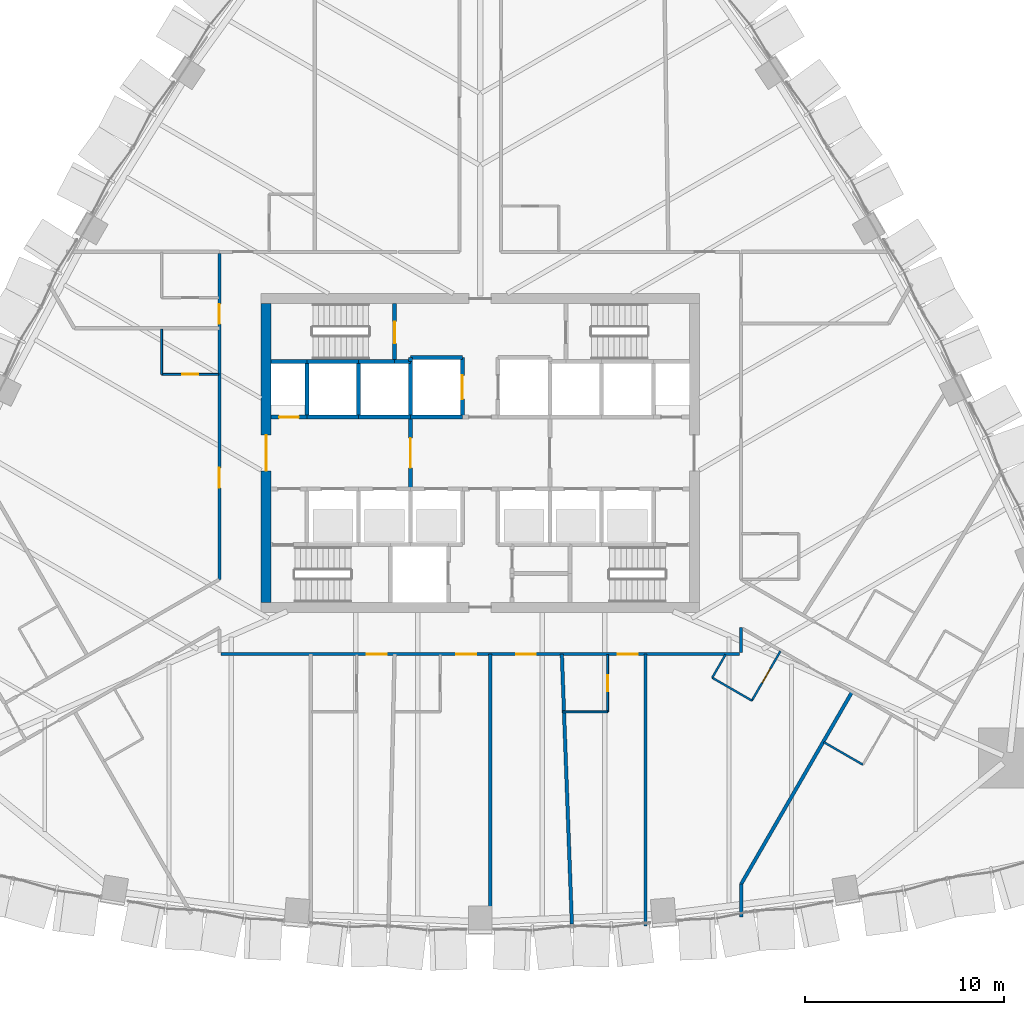
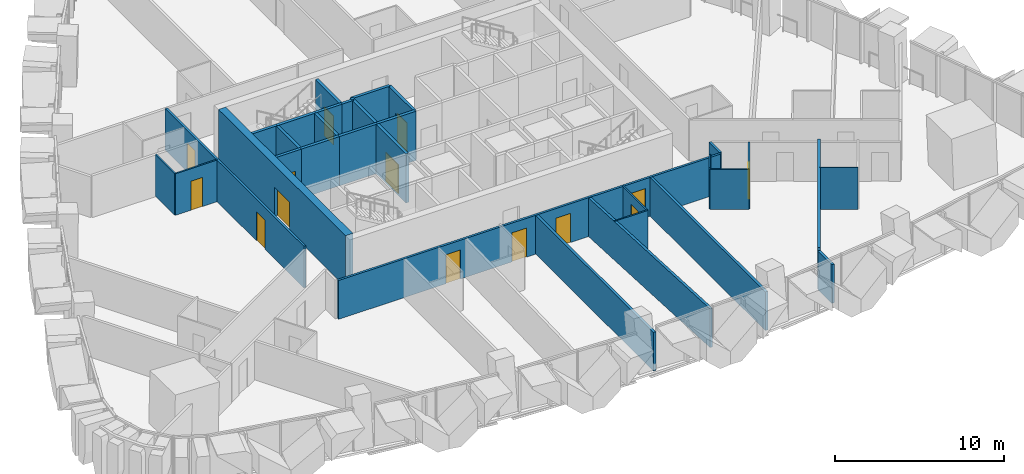
# One storey, part 14 of 23: 33 walls, 14 doors, 14 openings.
"""IFC4 building model written with IfcOpenShell, lengths in metres."""

from ifc_helpers import new_model, si_unit, direction, frame, frame_2d, origin, place, context, subcontext, project, spatial, rectangle, extrude, material, layer, layer_set, type_object, element, fill, save


model = new_model("IFC4")

# Units and contexts
model_context = context("Model", 3, precision=1e-05, world=origin(), true_north=direction((0.0, 1.0)))
body_context = subcontext(model_context, "Body", "Model", "MODEL_VIEW")
ifc_project = project(units=[si_unit("LENGTHUNIT", "METRE"), si_unit("AREAUNIT", "SQUARE_METRE"), si_unit("VOLUMEUNIT", "CUBIC_METRE"), si_unit("PLANEANGLEUNIT", "RADIAN"), si_unit("MASSUNIT", "GRAM", prefix="KILO")], contexts=[model_context])

# Site, building, storey
site_placement = place(None, origin())
site = spatial("IfcSite", under=ifc_project, at=site_placement, CompositionType="ELEMENT")
building_placement = place(site_placement, origin())
building = spatial("IfcBuilding", under=site, at=building_placement, Name="Sierra Prisma Convention Tower", CompositionType="ELEMENT")
storey_placement = place(building_placement, frame((0.0, 0.0, 70.199951171875)))
storey = spatial("IfcBuildingStorey", under=building, at=storey_placement, Name="L13", CompositionType="ELEMENT", Elevation=70.199951171875)

# Wall, opening, door
ifc_material_1 = material(Name="Gypsum board partition", Category="gypsum")
ifc_layer_1 = layer(ifc_material_1, 0.10009765625)
ifc_layer_set_1 = layer_set([ifc_layer_1], Name="Bathroom partition 100")
wall_type_1 = type_object("IfcWallType", Name="Bathroom partition 100", PredefinedType="PARTITIONING", material=ifc_layer_set_1)
wall_1_placement = place(storey_placement, frame((-13.1298828125, 3.94921875, 0.0), z_axis=(0.0, 0.0, 1.0), x_axis=(-1.0, 0.0, 0.0)))
wall_1 = element("IfcWall", 1, at=wall_1_placement, inside=storey, type_object=wall_type_1, Name="Partition L13 bath 5", PredefinedType="PARTITIONING", context=body_context, shape_type="SweptSolid", body=[
    extrude(rectangle(XDim=2.8701171875, YDim=0.10009765625, at=frame_2d((1.43505859375, 0.0))), origin(), (0.0, 0.0, 1.0), 3.0),
])
opening_1_placement = place(wall_1_placement, frame((1.034912109375, 0.0, 0.0)))
opening_1 = element("IfcOpeningElement", 2, at=opening_1_placement, cuts=wall_1, Name="Opening L13-D006", PredefinedType="OPENING", context=body_context, shape_type="SweptSolid", body=[
    extrude(rectangle(XDim=0.800048828125, YDim=2.10009765625, at=frame_2d((0.39990234375, 1.050048828125))), frame((0.0, 0.050048828125, 0.0), z_axis=(0.0, -1.0, 0.0), x_axis=(1.0, 0.0, 0.0)), (0.0, 0.0, 1.0), 0.10009765625),
])
ifc_material_2 = material(Name="Solid core timber door leaf", Category="wood")
door_type_1 = type_object("IfcDoorType", Name="Door 800x2100 plain", OperationType="SINGLE_SWING_LEFT", PredefinedType="DOOR", material=ifc_material_2)
door_1_placement = place(opening_1_placement, origin())
door_1 = element("IfcDoor", 3, at=door_1_placement, inside=storey, type_object=door_type_1, Name="Door L13 15", OperationType="SINGLE_SWING_LEFT", OverallHeight=2.10009765625, OverallWidth=0.800048828125, PredefinedType="DOOR", context=body_context, shape_type="SweptSolid", body=[
    extrude(rectangle(XDim=0.800048828125, YDim=2.10009765625, at=frame_2d((0.39990234375, 1.050048828125))), frame((0.0, 0.02490234375, 0.0), z_axis=(0.0, -1.0, 0.0), x_axis=(1.0, 0.0, 0.0)), (0.0, 0.0, 1.0), 0.050048828125),
])
fill(opening_1, door_1)

# Wall
wall_2_placement = place(storey_placement, frame((-16.0, 3.94921875, 0.0), z_axis=(0.0, 0.0, 1.0), x_axis=(0.0, 1.0, 0.0)))
element("IfcWall", 4, at=wall_2_placement, inside=storey, type_object=wall_type_1, Name="Partition L13 bath 6", PredefinedType="PARTITIONING", context=body_context, shape_type="SweptSolid", body=[
    extrude(rectangle(XDim=2.269775390625, YDim=0.10009765625, at=frame_2d((1.134765625, 0.0))), origin(), (0.0, 0.0, 1.0), 3.0),
])

# Wall, opening, door
wall_3_placement = place(storey_placement, frame((6.39990234375, -10.1298828125, 0.0), z_axis=(0.0, 0.0, 1.0), x_axis=(0.0, -1.0, 0.0)))
wall_3 = element("IfcWall", 5, at=wall_3_placement, inside=storey, type_object=wall_type_1, Name="Partition L13 bath 20", PredefinedType="PARTITIONING", context=body_context, shape_type="SweptSolid", body=[
    extrude(rectangle(XDim=2.8701171875, YDim=0.10009765625, at=frame_2d((1.43505859375, 0.0))), origin(), (0.0, 0.0, 1.0), 2.797119140625),
])
opening_2_placement = place(wall_3_placement, frame((1.034912109375, 0.0, 0.0)))
opening_2 = element("IfcOpeningElement", 6, at=opening_2_placement, cuts=wall_3, Name="Opening L13-D011", PredefinedType="OPENING", context=body_context, shape_type="SweptSolid", body=[
    extrude(rectangle(XDim=0.800048828125, YDim=2.10009765625, at=frame_2d((0.39990234375, 1.050048828125))), frame((0.0, 0.050048828125, 0.0), z_axis=(0.0, -1.0, 0.0), x_axis=(1.0, 0.0, 0.0)), (0.0, 0.0, 1.0), 0.10009765625),
])
door_2_placement = place(opening_2_placement, origin())
door_2 = element("IfcDoor", 7, at=door_2_placement, inside=storey, type_object=door_type_1, Name="Door L13 28", OperationType="SINGLE_SWING_LEFT", OverallHeight=2.10009765625, OverallWidth=0.800048828125, PredefinedType="DOOR", context=body_context, shape_type="SweptSolid", body=[
    extrude(rectangle(XDim=0.800048828125, YDim=2.10009765625, at=frame_2d((0.39990234375, 1.050048828125))), frame((0.0, 0.02490234375, 0.0), z_axis=(0.0, -1.0, 0.0), x_axis=(1.0, 0.0, 0.0)), (0.0, 0.0, 1.0), 0.050048828125),
])
fill(opening_2, door_2)

# Wall
wall_4_placement = place(storey_placement, frame((6.39990234375, -13.0, 0.0), z_axis=(0.0, 0.0, 1.0), x_axis=(-1.0, 0.0, 0.0)))
element("IfcWall", 8, at=wall_4_placement, inside=storey, type_object=wall_type_1, Name="Partition L13 bath 21", PredefinedType="PARTITIONING", context=body_context, shape_type="SweptSolid", body=[
    extrude(rectangle(XDim=2.27001953125, YDim=0.10009765625, at=frame_2d((1.135009765625, 0.0))), origin(), (0.0, 0.0, 1.0), 2.797119140625),
])

# Wall, opening, door
wall_5_placement = place(storey_placement, frame((15.076904296875, -9.95166015625, 0.0), z_axis=(0.0, 0.0, 1.0), x_axis=(-0.499999802827, -0.866025517622, 0.0)))
wall_5 = element("IfcWall", 9, at=wall_5_placement, inside=storey, type_object=wall_type_1, Name="Partition L13 bath 22", PredefinedType="PARTITIONING", context=body_context, shape_type="SweptSolid", body=[
    extrude(rectangle(XDim=2.8701171875, YDim=0.10009765625, at=frame_2d((1.43505859375, 0.0))), origin(), (0.0, 0.0, 1.0), 2.797119140625),
])
opening_3_placement = place(wall_5_placement, frame((1.034912109375, 0.0, 0.0)))
opening_3 = element("IfcOpeningElement", 10, at=opening_3_placement, cuts=wall_5, Name="Opening L13-D012", PredefinedType="OPENING", context=body_context, shape_type="SweptSolid", body=[
    extrude(rectangle(XDim=0.800048828125, YDim=2.10009765625, at=frame_2d((0.39990234375, 1.050048828125))), frame((0.0, 0.050048828125, 0.0), z_axis=(0.0, -1.0, 0.0), x_axis=(1.0, 0.0, 0.0)), (0.0, 0.0, 1.0), 0.10009765625),
])
door_3_placement = place(opening_3_placement, origin())
door_3 = element("IfcDoor", 11, at=door_3_placement, inside=storey, type_object=door_type_1, Name="Door L13 30", OperationType="SINGLE_SWING_LEFT", OverallHeight=2.10009765625, OverallWidth=0.800048828125, PredefinedType="DOOR", context=body_context, shape_type="SweptSolid", body=[
    extrude(rectangle(XDim=0.800048828125, YDim=2.10009765625, at=frame_2d((0.39990234375, 1.050048828125))), frame((0.0, 0.02490234375, 0.0), z_axis=(0.0, -1.0, 0.0), x_axis=(1.0, 0.0, 0.0)), (0.0, 0.0, 1.0), 0.050048828125),
])
fill(opening_3, door_3)

# Walls
wall_6_placement = place(storey_placement, frame((13.641845703125, -12.437255859375, 0.0), z_axis=(0.0, 0.0, 1.0), x_axis=(-0.866007057882, 0.500031774688, 0.0)))
element("IfcWall", 12, at=wall_6_placement, inside=storey, type_object=wall_type_1, Name="Partition L13 bath 23", PredefinedType="PARTITIONING", context=body_context, shape_type="SweptSolid", body=[
    extrude(rectangle(XDim=2.300048828125, YDim=0.10009765625, at=frame_2d((1.14990234375, 0.0))), origin(), (0.0, 0.0, 1.0), 2.866943359375),
])
wall_7_placement = place(storey_placement, frame((11.64990234375, -11.287109375, 0.0), z_axis=(0.0, 0.0, 1.0), x_axis=(0.500049290317, 0.865996944136, 0.0)))
element("IfcWall", 13, at=wall_7_placement, inside=storey, type_object=wall_type_1, Name="Partition L13 bath 24", PredefinedType="PARTITIONING", context=body_context, shape_type="SweptSolid", body=[
    extrude(rectangle(XDim=1.336181640625, YDim=0.10009765625, at=frame_2d((0.66796875, 0.0))), origin(), (0.0, 0.0, 1.0), 3.0),
])
wall_8_placement = place(storey_placement, frame((19.218505859375, -15.65673828125, 0.0), z_axis=(0.0, 0.0, 1.0), x_axis=(-0.866044110172, 0.499967598186, 0.0)))
element("IfcWall", 14, at=wall_8_placement, inside=storey, type_object=wall_type_1, Name="Partition L13 bath 29", PredefinedType="PARTITIONING", context=body_context, shape_type="SweptSolid", body=[
    extrude(rectangle(XDim=2.270263671875, YDim=0.10009765625, at=frame_2d((1.13525390625, 0.0))), origin(), (0.0, 0.0, 1.0), 3.0),
])

# Wall, opening, door
ifc_material_3 = material(Name="Concrete C30/37", Category="concrete")
ifc_layer_2 = layer(ifc_material_3, 0.199951171875)
ifc_layer_set_2 = layer_set([ifc_layer_2], Name="Core wall RC 200 C30/37")
wall_type_2 = type_object("IfcWallType", Name="Core wall RC 200 C30/37", PredefinedType="SOLIDWALL", material=ifc_layer_set_2)
wall_9_placement = place(storey_placement, frame((-8.699951171875, 1.800048828125, 0.0), z_axis=(0.0, 0.0, 1.0), x_axis=(-1.0, 0.0, 0.0)))
wall_9 = element("IfcWall", 15, at=wall_9_placement, inside=storey, type_object=wall_type_2, Name="Core wall L13 3", PredefinedType="SOLIDWALL", context=body_context, shape_type="SweptSolid", body=[
    extrude(rectangle(XDim=1.800048828125, YDim=0.199951171875, at=frame_2d((0.89990234375, 0.0))), origin(), (0.0, 0.0, 1.0), 3.550048828125),
])
opening_4_placement = place(wall_9_placement, frame((0.39990234375, 0.0, 0.0)))
opening_4 = element("IfcOpeningElement", 16, at=opening_4_placement, cuts=wall_9, Name="Opening L13-D031", PredefinedType="OPENING", context=body_context, shape_type="SweptSolid", body=[
    extrude(rectangle(XDim=1.0, YDim=2.10009765625, at=frame_2d((0.5, 1.050048828125))), frame((0.0, 0.10009765625, 0.0), z_axis=(0.0, -1.0, 0.0), x_axis=(1.0, 0.0, 0.0)), (0.0, 0.0, 1.0), 0.199951171875),
])
ifc_material_4 = material(Name="Steel fire door leaf", Category="steel")
door_type_2 = type_object("IfcDoorType", Name="Door 1000x2100 FD60S", OperationType="SINGLE_SWING_LEFT", PredefinedType="DOOR", material=ifc_material_4)
door_4_placement = place(opening_4_placement, origin())
door_4 = element("IfcDoor", 17, at=door_4_placement, inside=storey, type_object=door_type_2, Name="Door L13 52", OperationType="SINGLE_SWING_LEFT", OverallHeight=2.10009765625, OverallWidth=1.0, PredefinedType="DOOR", context=body_context, shape_type="SweptSolid", body=[
    extrude(rectangle(XDim=1.0, YDim=2.10009765625, at=frame_2d((0.5, 1.050048828125))), frame((0.0, 0.02490234375, 0.0), z_axis=(0.0, -1.0, 0.0), x_axis=(1.0, 0.0, 0.0)), (0.0, 0.0, 1.0), 0.050048828125),
])
fill(opening_4, door_4)

# Walls
wall_10_placement = place(storey_placement, frame((-8.699951171875, 4.60009765625, 0.0), z_axis=(0.0, 0.0, 1.0), x_axis=(-1.0, 0.0, 0.0)))
element("IfcWall", 18, at=wall_10_placement, inside=storey, type_object=wall_type_2, Name="Core wall L13 4", PredefinedType="SOLIDWALL", context=body_context, shape_type="SweptSolid", body=[
    extrude(rectangle(XDim=1.800048828125, YDim=0.199951171875, at=frame_2d((0.89990234375, 0.0))), origin(), (0.0, 0.0, 1.0), 3.550048828125),
])
wall_11_placement = place(storey_placement, frame((-6.10009765625, 1.800048828125, 0.0), z_axis=(0.0, 0.0, 1.0), x_axis=(-1.0, 0.0, 0.0)))
element("IfcWall", 19, at=wall_11_placement, inside=storey, type_object=wall_type_2, Name="Core wall L13 8", PredefinedType="SOLIDWALL", context=body_context, shape_type="SweptSolid", body=[
    extrude(rectangle(XDim=2.599853515625, YDim=0.199951171875, at=frame_2d((1.2998046875, 0.0))), origin(), (0.0, 0.0, 1.0), 3.550048828125),
])
wall_12_placement = place(storey_placement, frame((-8.699951171875, 1.800048828125, 0.0), z_axis=(0.0, 0.0, 1.0), x_axis=(0.0, 1.0, 0.0)))
element("IfcWall", 20, at=wall_12_placement, inside=storey, type_object=wall_type_2, Name="Core wall L13 9", PredefinedType="SOLIDWALL", context=body_context, shape_type="SweptSolid", body=[
    extrude(rectangle(XDim=2.800048828125, YDim=0.199951171875, at=frame_2d((1.39990234375, 0.0))), origin(), (0.0, 0.0, 1.0), 3.550048828125),
])
wall_13_placement = place(storey_placement, frame((-6.10009765625, 4.60009765625, 0.0), z_axis=(0.0, 0.0, 1.0), x_axis=(-1.0, 0.0, 0.0)))
element("IfcWall", 21, at=wall_13_placement, inside=storey, type_object=wall_type_2, Name="Core wall L13 10", PredefinedType="SOLIDWALL", context=body_context, shape_type="SweptSolid", body=[
    extrude(rectangle(XDim=2.599853515625, YDim=0.199951171875, at=frame_2d((1.2998046875, 0.0))), origin(), (0.0, 0.0, 1.0), 3.550048828125),
])
wall_14_placement = place(storey_placement, frame((-3.5, 1.800048828125, 0.0), z_axis=(0.0, 0.0, 1.0), x_axis=(-1.0, 0.0, 0.0)))
element("IfcWall", 22, at=wall_14_placement, inside=storey, type_object=wall_type_2, Name="Core wall L13 14", PredefinedType="SOLIDWALL", context=body_context, shape_type="SweptSolid", body=[
    extrude(rectangle(XDim=2.60009765625, YDim=0.199951171875, at=frame_2d((1.300048828125, 0.0))), origin(), (0.0, 0.0, 1.0), 3.550048828125),
])
wall_15_placement = place(storey_placement, frame((-6.10009765625, 1.800048828125, 0.0), z_axis=(0.0, 0.0, 1.0), x_axis=(0.0, 1.0, 0.0)))
element("IfcWall", 23, at=wall_15_placement, inside=storey, type_object=wall_type_2, Name="Core wall L13 15", PredefinedType="SOLIDWALL", context=body_context, shape_type="SweptSolid", body=[
    extrude(rectangle(XDim=2.800048828125, YDim=0.199951171875, at=frame_2d((1.39990234375, 0.0))), origin(), (0.0, 0.0, 1.0), 3.550048828125),
])
wall_16_placement = place(storey_placement, frame((-4.300048828125, 4.60009765625, 0.0), z_axis=(0.0, 0.0, 1.0), x_axis=(-1.0, 0.0, 0.0)))
element("IfcWall", 24, at=wall_16_placement, inside=storey, type_object=wall_type_2, Name="Core wall L13 16", PredefinedType="SOLIDWALL", context=body_context, shape_type="SweptSolid", body=[
    extrude(rectangle(XDim=1.800048828125, YDim=0.199951171875, at=frame_2d((0.89990234375, 0.0))), origin(), (0.0, 0.0, 1.0), 3.550048828125),
])
wall_17_placement = place(storey_placement, frame((-3.5, 4.60009765625, 0.0), z_axis=(0.0, 0.0, 1.0), x_axis=(-1.0, 0.0, 0.0)))
element("IfcWall", 25, at=wall_17_placement, inside=storey, type_object=wall_type_2, Name="Core wall L13 19", PredefinedType="SOLIDWALL", context=body_context, shape_type="SweptSolid", body=[
    extrude(rectangle(XDim=0.800048828125, YDim=0.199951171875, at=frame_2d((0.39990234375, 0.0))), origin(), (0.0, 0.0, 1.0), 3.550048828125),
])

# Wall, opening, door
wall_18_placement = place(storey_placement, frame((-4.300048828125, 4.60009765625, 0.0), z_axis=(0.0, 0.0, 1.0), x_axis=(0.0, 1.0, 0.0)))
wall_18 = element("IfcWall", 26, at=wall_18_placement, inside=storey, type_object=wall_type_2, Name="Core wall L13 20", PredefinedType="SOLIDWALL", context=body_context, shape_type="SweptSolid", body=[
    extrude(rectangle(XDim=2.89990234375, YDim=0.199951171875, at=frame_2d((1.449951171875, 0.0))), origin(), (0.0, 0.0, 1.0), 3.550048828125),
])
opening_5_placement = place(wall_18_placement, frame((0.89990234375, 0.0, 0.0)))
opening_5 = element("IfcOpeningElement", 27, at=opening_5_placement, cuts=wall_18, Name="Opening L13-D035", PredefinedType="OPENING", context=body_context, shape_type="SweptSolid", body=[
    extrude(rectangle(XDim=1.10009765625, YDim=2.10009765625, at=frame_2d((0.550048828125, 1.050048828125))), frame((0.0, 0.10009765625, 0.0), z_axis=(0.0, -1.0, 0.0), x_axis=(1.0, 0.0, 0.0)), (0.0, 0.0, 1.0), 0.199951171875),
])
ifc_material_5 = material(Name="Steel fire door leaf", Category="steel")
door_type_3 = type_object("IfcDoorType", Name="Door 1100x2100 FD90S", OperationType="SINGLE_SWING_LEFT", PredefinedType="DOOR", material=ifc_material_5)
door_5_placement = place(opening_5_placement, origin())
door_5 = element("IfcDoor", 28, at=door_5_placement, inside=storey, type_object=door_type_3, Name="Door L13 56", OperationType="SINGLE_SWING_LEFT", OverallHeight=2.10009765625, OverallWidth=1.10009765625, PredefinedType="DOOR", context=body_context, shape_type="SweptSolid", body=[
    extrude(rectangle(XDim=1.10009765625, YDim=2.10009765625, at=frame_2d((0.550048828125, 1.050048828125))), frame((0.0, 0.02490234375, 0.0), z_axis=(0.0, -1.0, 0.0), x_axis=(1.0, 0.0, 0.0)), (0.0, 0.0, 1.0), 0.050048828125),
])
fill(opening_5, door_5)

wall_19_placement = place(storey_placement, frame((-3.5, 1.800048828125, 0.0), z_axis=(0.0, 0.0, 1.0), x_axis=(0.0, -1.0, 0.0)))
wall_19 = element("IfcWall", 29, at=wall_19_placement, inside=storey, type_object=wall_type_2, Name="Core wall L13 24", PredefinedType="SOLIDWALL", context=body_context, shape_type="SweptSolid", body=[
    extrude(rectangle(XDim=3.60009765625, YDim=0.199951171875, at=frame_2d((1.800048828125, 0.0))), origin(), (0.0, 0.0, 1.0), 3.550048828125),
])
opening_6_placement = place(wall_19_placement, frame((1.050048828125, 0.0, 0.0)))
opening_6 = element("IfcOpeningElement", 30, at=opening_6_placement, cuts=wall_19, Name="Opening L13-D025", PredefinedType="OPENING", context=body_context, shape_type="SweptSolid", body=[
    extrude(rectangle(XDim=1.5, YDim=2.10009765625, at=frame_2d((0.75, 1.050048828125))), frame((0.0, 0.10009765625, 0.0), z_axis=(0.0, -1.0, 0.0), x_axis=(1.0, 0.0, 0.0)), (0.0, 0.0, 1.0), 0.199951171875),
])
ifc_material_6 = material(Name="Steel fire door leaf", Category="steel")
door_type_4 = type_object("IfcDoorType", Name="Door 1500x2100 FD30S", OperationType="DOUBLE_DOOR_SINGLE_SWING", PredefinedType="DOOR", material=ifc_material_6)
door_6_placement = place(opening_6_placement, origin())
door_6 = element("IfcDoor", 31, at=door_6_placement, inside=storey, type_object=door_type_4, Name="Door L13 46", OperationType="DOUBLE_DOOR_SINGLE_SWING", OverallHeight=2.10009765625, OverallWidth=1.5, PredefinedType="DOOR", context=body_context, shape_type="SweptSolid", body=[
    extrude(rectangle(XDim=1.5, YDim=2.10009765625, at=frame_2d((0.75, 1.050048828125))), frame((0.0, 0.02490234375, 0.0), z_axis=(0.0, -1.0, 0.0), x_axis=(1.0, 0.0, 0.0)), (0.0, 0.0, 1.0), 0.050048828125),
])
fill(opening_6, door_6)

# Walls
wall_20_placement = place(storey_placement, frame((-0.89990234375, 1.800048828125, 0.0), z_axis=(0.0, 0.0, 1.0), x_axis=(-1.0, 0.0, 0.0)))
element("IfcWall", 32, at=wall_20_placement, inside=storey, type_object=wall_type_2, Name="Core wall L13 25", PredefinedType="SOLIDWALL", context=body_context, shape_type="SweptSolid", body=[
    extrude(rectangle(XDim=2.60009765625, YDim=0.199951171875, at=frame_2d((1.300048828125, 0.0))), origin(), (0.0, 0.0, 1.0), 3.550048828125),
])
wall_21_placement = place(storey_placement, frame((-3.5, 4.60009765625, 0.0), z_axis=(0.0, 0.0, 1.0), x_axis=(0.0, -1.0, 0.0)))
element("IfcWall", 33, at=wall_21_placement, inside=storey, type_object=wall_type_2, Name="Core wall L13 26", PredefinedType="SOLIDWALL", context=body_context, shape_type="SweptSolid", body=[
    extrude(rectangle(XDim=2.800048828125, YDim=0.199951171875, at=frame_2d((1.39990234375, 0.0))), origin(), (0.0, 0.0, 1.0), 3.550048828125),
])

# Wall, opening, door
wall_22_placement = place(storey_placement, frame((-0.89990234375, 1.800048828125, 0.0), z_axis=(0.0, 0.0, 1.0), x_axis=(0.0, 1.0, 0.0)))
wall_22 = element("IfcWall", 34, at=wall_22_placement, inside=storey, type_object=wall_type_2, Name="Core wall L13 27", PredefinedType="SOLIDWALL", context=body_context, shape_type="SweptSolid", body=[
    extrude(rectangle(XDim=3.0, YDim=0.199951171875, at=frame_2d((1.5, 0.0))), origin(), (0.0, 0.0, 1.0), 3.550048828125),
])
opening_7_placement = place(wall_22_placement, frame((0.89990234375, 0.0, 0.0)))
opening_7 = element("IfcOpeningElement", 35, at=opening_7_placement, cuts=wall_22, Name="Opening L13-D022", PredefinedType="OPENING", context=body_context, shape_type="SweptSolid", body=[
    extrude(rectangle(XDim=1.199951171875, YDim=2.10009765625, at=frame_2d((0.60009765625, 1.050048828125))), frame((0.0, 0.10009765625, 0.0), z_axis=(0.0, -1.0, 0.0), x_axis=(1.0, 0.0, 0.0)), (0.0, 0.0, 1.0), 0.199951171875),
])
ifc_material_7 = material(Name="Steel fire door leaf", Category="steel")
door_type_5 = type_object("IfcDoorType", Name="Door 1200x2100 EI 90 sliding lift landing", OperationType="SLIDING_TO_LEFT", PredefinedType="DOOR", material=ifc_material_7)
door_7_placement = place(opening_7_placement, origin())
door_7 = element("IfcDoor", 36, at=door_7_placement, inside=storey, type_object=door_type_5, Name="Door L13 43", OperationType="SLIDING_TO_LEFT", OverallHeight=2.10009765625, OverallWidth=1.199951171875, PredefinedType="DOOR", context=body_context, shape_type="SweptSolid", body=[
    extrude(rectangle(XDim=1.199951171875, YDim=2.10009765625, at=frame_2d((0.60009765625, 1.050048828125))), frame((0.0, 0.02490234375, 0.0), z_axis=(0.0, -1.0, 0.0), x_axis=(1.0, 0.0, 0.0)), (0.0, 0.0, 1.0), 0.050048828125),
])
fill(opening_7, door_7)

# Walls
wall_23_placement = place(storey_placement, frame((-0.89990234375, 4.800048828125, 0.0), z_axis=(0.0, 0.0, 1.0), x_axis=(-1.0, 0.0, 0.0)))
element("IfcWall", 37, at=wall_23_placement, inside=storey, type_object=wall_type_2, Name="Core wall L13 28", PredefinedType="SOLIDWALL", context=body_context, shape_type="SweptSolid", body=[
    extrude(rectangle(XDim=2.60009765625, YDim=0.199951171875, at=frame_2d((1.300048828125, 0.0))), origin(), (0.0, 0.0, 1.0), 3.550048828125),
])
wall_24_placement = place(storey_placement, frame((-3.5, 4.800048828125, 0.0), z_axis=(0.0, 0.0, 1.0), x_axis=(0.0, -1.0, 0.0)))
element("IfcWall", 38, at=wall_24_placement, inside=storey, type_object=wall_type_2, Name="Core wall L13 29", PredefinedType="SOLIDWALL", context=body_context, shape_type="SweptSolid", body=[
    extrude(rectangle(XDim=0.199951171875, YDim=0.199951171875, at=frame_2d((0.10009765625, 0.0))), origin(), (0.0, 0.0, 1.0), 3.550048828125),
])

# Wall, opening, door
ifc_material_8 = material(Name="Concrete C60/75", Category="concrete")
ifc_layer_3 = layer(ifc_material_8, 0.5)
ifc_layer_set_3 = layer_set([ifc_layer_3], Name="Core wall RC 500 C60/75")
wall_type_3 = type_object("IfcWallType", Name="Core wall RC 500 C60/75", PredefinedType="SHEAR", material=ifc_layer_set_3)
wall_25_placement = place(storey_placement, frame((-10.75, -7.5, 0.0), z_axis=(0.0, 0.0, 1.0), x_axis=(0.0, 1.0, 0.0)))
wall_25 = element("IfcWall", 39, at=wall_25_placement, inside=storey, type_object=wall_type_3, Name="Core wall W L13", PredefinedType="SHEAR", context=body_context, shape_type="SweptSolid", body=[
    extrude(rectangle(XDim=15.0, YDim=0.5, at=frame_2d((7.5, 0.0))), origin(), (0.0, 0.0, 1.0), 3.699951171875),
])
opening_8_placement = place(wall_25_placement, frame((6.60009765625, 0.0, 0.0)))
opening_8 = element("IfcOpeningElement", 40, at=opening_8_placement, cuts=wall_25, Name="Opening L13-D063", PredefinedType="OPENING", context=body_context, shape_type="SweptSolid", body=[
    extrude(rectangle(XDim=1.800048828125, YDim=2.10009765625, at=frame_2d((0.89990234375, 1.050048828125))), frame((0.0, 0.25, 0.0), z_axis=(0.0, -1.0, 0.0), x_axis=(1.0, 0.0, 0.0)), (0.0, 0.0, 1.0), 0.5),
])
ifc_material_9 = material(Name="Steel fire door leaf", Category="steel")
door_type_6 = type_object("IfcDoorType", Name="Door 1800x2100 FD60S", OperationType="DOUBLE_DOOR_SINGLE_SWING", PredefinedType="DOOR", material=ifc_material_9)
door_8_placement = place(opening_8_placement, origin())
door_8 = element("IfcDoor", 41, at=door_8_placement, inside=storey, type_object=door_type_6, Name="Door L13 60", OperationType="DOUBLE_DOOR_SINGLE_SWING", OverallHeight=2.10009765625, OverallWidth=1.800048828125, PredefinedType="DOOR", context=body_context, shape_type="SweptSolid", body=[
    extrude(rectangle(XDim=1.800048828125, YDim=2.10009765625, at=frame_2d((0.89990234375, 1.050048828125))), frame((0.0, 0.02490234375, 0.0), z_axis=(0.0, -1.0, 0.0), x_axis=(1.0, 0.0, 0.0)), (0.0, 0.0, 1.0), 0.050048828125),
])
fill(opening_8, door_8)

# Wall, openings, doors
ifc_material_10 = material(Name="Gypsum board partition", Category="gypsum")
ifc_layer_4 = layer(ifc_material_10, 0.14990234375)
ifc_layer_set_4 = layer_set([ifc_layer_4], Name="Corridor wall 150 gypsum EI 60")
wall_type_4 = type_object("IfcWallType", Name="Corridor wall 150 gypsum EI 60", PredefinedType="PARTITIONING", material=ifc_layer_set_4)
wall_26_placement = place(storey_placement, frame((-13.10009765625, 10.02001953125, 0.0), z_axis=(0.0, 0.0, 1.0), x_axis=(0.0, -1.0, 0.0)))
wall_26 = element("IfcWall", 42, at=wall_26_placement, inside=storey, type_object=wall_type_4, Name="Partition L13 corr 5", PredefinedType="PARTITIONING", context=body_context, shape_type="SweptSolid", body=[
    extrude(rectangle(XDim=16.370849609375, YDim=0.14990234375, at=frame_2d((8.185546875, 0.0))), origin(), (0.0, 0.0, 1.0), 3.0),
])
opening_9_placement = place(wall_26_placement, frame((2.54541015625, 0.0, 0.0)))
opening_9 = element("IfcOpeningElement", 43, at=opening_9_placement, cuts=wall_26, Name="Opening L13-D046", PredefinedType="OPENING", context=body_context, shape_type="SweptSolid", body=[
    extrude(rectangle(XDim=1.0, YDim=2.10009765625, at=frame_2d((0.5, 1.050048828125))), frame((0.0, 0.074951171875, 0.0), z_axis=(0.0, -1.0, 0.0), x_axis=(1.0, 0.0, 0.0)), (0.0, 0.0, 1.0), 0.14990234375),
])
opening_10_placement = place(wall_26_placement, frame((10.77099609375, 0.0, 0.0)))
opening_10 = element("IfcOpeningElement", 44, at=opening_10_placement, cuts=wall_26, Name="Opening L13-D047", PredefinedType="OPENING", context=body_context, shape_type="SweptSolid", body=[
    extrude(rectangle(XDim=1.0, YDim=2.10009765625, at=frame_2d((0.5, 1.050048828125))), frame((0.0, 0.074951171875, 0.0), z_axis=(0.0, -1.0, 0.0), x_axis=(1.0, 0.0, 0.0)), (0.0, 0.0, 1.0), 0.14990234375),
])
ifc_material_11 = material(Name="Steel fire door leaf", Category="steel")
door_type_7 = type_object("IfcDoorType", Name="Door 1000x2100 FD30S", OperationType="SINGLE_SWING_LEFT", PredefinedType="DOOR", material=ifc_material_11)
door_9_placement = place(opening_9_placement, origin())
door_9 = element("IfcDoor", 45, at=door_9_placement, inside=storey, type_object=door_type_7, Name="Door L13 12", OperationType="SINGLE_SWING_LEFT", OverallHeight=2.10009765625, OverallWidth=1.0, PredefinedType="DOOR", context=body_context, shape_type="SweptSolid", body=[
    extrude(rectangle(XDim=1.0, YDim=2.10009765625, at=frame_2d((0.5, 1.050048828125))), frame((0.0, 0.02490234375, 0.0), z_axis=(0.0, -1.0, 0.0), x_axis=(1.0, 0.0, 0.0)), (0.0, 0.0, 1.0), 0.050048828125),
])
fill(opening_9, door_9)
door_10_placement = place(opening_10_placement, origin())
door_10 = element("IfcDoor", 46, at=door_10_placement, inside=storey, type_object=door_type_7, Name="Door L13 14", OperationType="SINGLE_SWING_RIGHT", OverallHeight=2.10009765625, OverallWidth=1.0, PredefinedType="DOOR", context=body_context, shape_type="SweptSolid", body=[
    extrude(rectangle(XDim=1.0, YDim=2.10009765625, at=frame_2d((0.5, 1.050048828125))), frame((0.0, 0.02490234375, 0.0), z_axis=(0.0, -1.0, 0.0), x_axis=(1.0, 0.0, 0.0)), (0.0, 0.0, 1.0), 0.050048828125),
])
fill(opening_10, door_10)

wall_27_placement = place(storey_placement, frame((-13.02001953125, -10.10009765625, 0.0), z_axis=(0.0, 0.0, 1.0), x_axis=(1.0, 0.0, 0.0)))
wall_27 = element("IfcWall", 47, at=wall_27_placement, inside=storey, type_object=wall_type_4, Name="Partition L13 corr 7", PredefinedType="PARTITIONING", context=body_context, shape_type="SweptSolid", body=[
    extrude(rectangle(XDim=26.0400390625, YDim=0.14990234375, at=frame_2d((13.02001953125, 0.0))), origin(), (0.0, 0.0, 1.0), 2.797119140625),
])
opening_11_placement = place(wall_27_placement, frame((7.320068359375, 0.0, 0.0)))
opening_11 = element("IfcOpeningElement", 48, at=opening_11_placement, cuts=wall_27, Name="Opening L13-D052", PredefinedType="OPENING", context=body_context, shape_type="SweptSolid", body=[
    extrude(rectangle(XDim=1.0, YDim=2.10009765625, at=frame_2d((0.5, 1.050048828125))), frame((0.0, 0.074951171875, 0.0), z_axis=(0.0, -1.0, 0.0), x_axis=(1.0, 0.0, 0.0)), (0.0, 0.0, 1.0), 0.14990234375),
])
opening_12_placement = place(wall_27_placement, frame((11.820068359375, 0.0, 0.0)))
opening_12 = element("IfcOpeningElement", 49, at=opening_12_placement, cuts=wall_27, Name="Opening L13-D053", PredefinedType="OPENING", context=body_context, shape_type="SweptSolid", body=[
    extrude(rectangle(XDim=1.0, YDim=2.10009765625, at=frame_2d((0.5, 1.050048828125))), frame((0.0, 0.074951171875, 0.0), z_axis=(0.0, -1.0, 0.0), x_axis=(1.0, 0.0, 0.0)), (0.0, 0.0, 1.0), 0.14990234375),
])
opening_13_placement = place(wall_27_placement, frame((14.820068359375, 0.0, 0.0)))
opening_13 = element("IfcOpeningElement", 50, at=opening_13_placement, cuts=wall_27, Name="Opening L13-D054", PredefinedType="OPENING", context=body_context, shape_type="SweptSolid", body=[
    extrude(rectangle(XDim=1.0, YDim=2.10009765625, at=frame_2d((0.5, 1.050048828125))), frame((0.0, 0.074951171875, 0.0), z_axis=(0.0, -1.0, 0.0), x_axis=(1.0, 0.0, 0.0)), (0.0, 0.0, 1.0), 0.14990234375),
])
opening_14_placement = place(wall_27_placement, frame((19.919921875, 0.0, 0.0)))
opening_14 = element("IfcOpeningElement", 51, at=opening_14_placement, cuts=wall_27, Name="Opening L13-D055", PredefinedType="OPENING", context=body_context, shape_type="SweptSolid", body=[
    extrude(rectangle(XDim=1.0, YDim=2.10009765625, at=frame_2d((0.5, 1.050048828125))), frame((0.0, 0.074951171875, 0.0), z_axis=(0.0, -1.0, 0.0), x_axis=(1.0, 0.0, 0.0)), (0.0, 0.0, 1.0), 0.14990234375),
])
door_11_placement = place(opening_11_placement, origin())
door_11 = element("IfcDoor", 52, at=door_11_placement, inside=storey, type_object=door_type_7, Name="Door L13 22", OperationType="SINGLE_SWING_LEFT", OverallHeight=2.10009765625, OverallWidth=1.0, PredefinedType="DOOR", context=body_context, shape_type="SweptSolid", body=[
    extrude(rectangle(XDim=1.0, YDim=2.10009765625, at=frame_2d((0.5, 1.050048828125))), frame((0.0, 0.02490234375, 0.0), z_axis=(0.0, -1.0, 0.0), x_axis=(1.0, 0.0, 0.0)), (0.0, 0.0, 1.0), 0.050048828125),
])
fill(opening_11, door_11)
door_12_placement = place(opening_12_placement, origin())
door_12 = element("IfcDoor", 53, at=door_12_placement, inside=storey, type_object=door_type_7, Name="Door L13 24", OperationType="SINGLE_SWING_LEFT", OverallHeight=2.10009765625, OverallWidth=1.0, PredefinedType="DOOR", context=body_context, shape_type="SweptSolid", body=[
    extrude(rectangle(XDim=1.0, YDim=2.10009765625, at=frame_2d((0.5, 1.050048828125))), frame((0.0, 0.02490234375, 0.0), z_axis=(0.0, -1.0, 0.0), x_axis=(1.0, 0.0, 0.0)), (0.0, 0.0, 1.0), 0.050048828125),
])
fill(opening_12, door_12)
door_13_placement = place(opening_13_placement, origin())
door_13 = element("IfcDoor", 54, at=door_13_placement, inside=storey, type_object=door_type_7, Name="Door L13 26", OperationType="SINGLE_SWING_LEFT", OverallHeight=2.10009765625, OverallWidth=1.0, PredefinedType="DOOR", context=body_context, shape_type="SweptSolid", body=[
    extrude(rectangle(XDim=1.0, YDim=2.10009765625, at=frame_2d((0.5, 1.050048828125))), frame((0.0, 0.02490234375, 0.0), z_axis=(0.0, -1.0, 0.0), x_axis=(1.0, 0.0, 0.0)), (0.0, 0.0, 1.0), 0.050048828125),
])
fill(opening_13, door_13)
door_14_placement = place(opening_14_placement, origin())
door_14 = element("IfcDoor", 55, at=door_14_placement, inside=storey, type_object=door_type_7, Name="Door L13 27", OperationType="SINGLE_SWING_LEFT", OverallHeight=2.10009765625, OverallWidth=1.0, PredefinedType="DOOR", context=body_context, shape_type="SweptSolid", body=[
    extrude(rectangle(XDim=1.0, YDim=2.10009765625, at=frame_2d((0.5, 1.050048828125))), frame((0.0, 0.02490234375, 0.0), z_axis=(0.0, -1.0, 0.0), x_axis=(1.0, 0.0, 0.0)), (0.0, 0.0, 1.0), 0.050048828125),
])
fill(opening_14, door_14)

# Walls
wall_28_placement = place(storey_placement, frame((13.10009765625, -10.02001953125, 0.0), z_axis=(0.0, 0.0, 1.0), x_axis=(0.0, 1.0, 0.0)))
element("IfcWall", 56, at=wall_28_placement, inside=storey, type_object=wall_type_4, Name="Partition L13 corr 13", PredefinedType="PARTITIONING", context=body_context, shape_type="SweptSolid", body=[
    extrude(rectangle(XDim=1.244384765625, YDim=0.14990234375, at=frame_2d((0.6220703125, 0.0))), origin(), (0.0, 0.0, 1.0), 2.797119140625),
])
ifc_material_12 = material(Name="Acoustic gypsum board partition", Category="gypsum")
ifc_layer_5 = layer(ifc_material_12, 0.175048828125)
ifc_layer_set_5 = layer_set([ifc_layer_5], Name="Guest room party wall 175 acoustic EI 60")
wall_type_5 = type_object("IfcWallType", Name="Guest room party wall 175 acoustic EI 60", PredefinedType="PARTITIONING", material=ifc_layer_set_5)
wall_29_placement = place(storey_placement, frame((0.5, -10.10009765625, 0.0), z_axis=(0.0, 0.0, 1.0), x_axis=(0.0, -1.0, 0.0)))
element("IfcWall", 57, at=wall_29_placement, inside=storey, type_object=wall_type_5, Name="Partition L13 hparty 12", PredefinedType="PARTITIONING", context=body_context, shape_type="SweptSolid", body=[
    extrude(rectangle(XDim=13.97021484375, YDim=0.175048828125, at=frame_2d((6.985107421875, 0.0))), origin(), (0.0, 0.0, 1.0), 2.783935546875),
])
wall_30_placement = place(storey_placement, frame((4.603515625, -23.655517578125, 0.0), z_axis=(0.0, 0.0, 1.0), x_axis=(-0.03711217874, 0.999311105807, 0.0)))
element("IfcWall", 58, at=wall_30_placement, inside=storey, type_object=wall_type_5, Name="Partition L13 hparty 15", PredefinedType="PARTITIONING", context=body_context, shape_type="SweptSolid", body=[
    extrude(rectangle(XDim=13.564697265625, YDim=0.175048828125, at=frame_2d((6.7822265625, 0.0))), origin(), (0.0, 0.0, 1.0), 2.783935546875),
])
wall_31_placement = place(storey_placement, frame((8.300048828125, -10.10009765625, 0.0), z_axis=(0.0, 0.0, 1.0), x_axis=(0.0, -1.0, 0.0)))
element("IfcWall", 59, at=wall_31_placement, inside=storey, type_object=wall_type_5, Name="Partition L13 hparty 16", PredefinedType="PARTITIONING", context=body_context, shape_type="SweptSolid", body=[
    extrude(rectangle(XDim=13.664794921875, YDim=0.175048828125, at=frame_2d((6.83251953125, 0.0))), origin(), (0.0, 0.0, 1.0), 2.783935546875),
])
wall_32_placement = place(storey_placement, frame((18.676513671875, -11.995361328125, 0.0), z_axis=(0.0, 0.0, 1.0), x_axis=(-0.499997843529, -0.86602664882, 0.0)))
element("IfcWall", 60, at=wall_32_placement, inside=storey, type_object=wall_type_5, Name="Partition L13 hparty 18", PredefinedType="PARTITIONING", context=body_context, shape_type="SweptSolid", body=[
    extrude(rectangle(XDim=11.15283203125, YDim=0.175048828125, at=frame_2d((5.576416015625, 0.0))), origin(), (0.0, 0.0, 1.0), 3.0),
])
wall_33_placement = place(storey_placement, frame((13.10009765625, -21.654052734375, 0.0), z_axis=(0.0, 0.0, 1.0), x_axis=(0.0, -1.0, 0.0)))
element("IfcWall", 61, at=wall_33_placement, inside=storey, type_object=wall_type_5, Name="Partition L13 hparty 19", PredefinedType="PARTITIONING", context=body_context, shape_type="SweptSolid", body=[
    extrude(rectangle(XDim=1.651611328125, YDim=0.175048828125, at=frame_2d((0.82568359375, 0.0))), origin(), (0.0, 0.0, 1.0), 2.783935546875),
])

save(model, "model.ifc")
